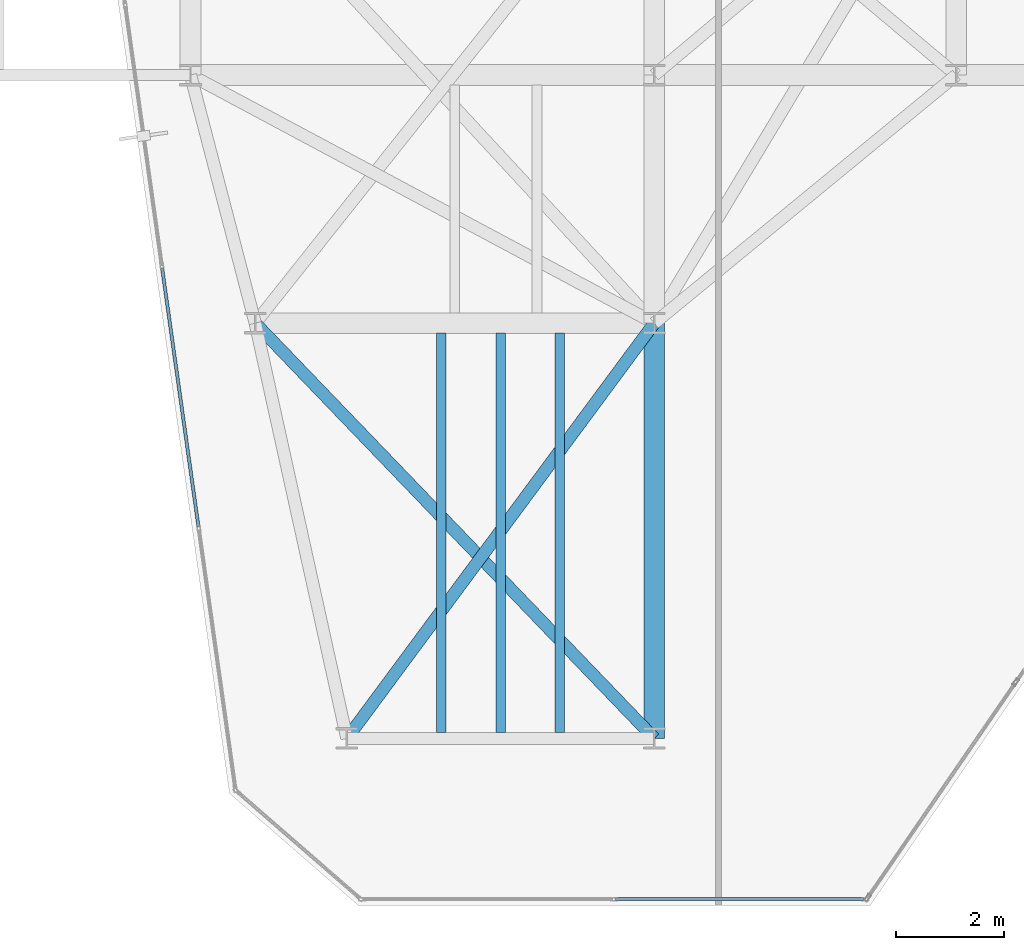
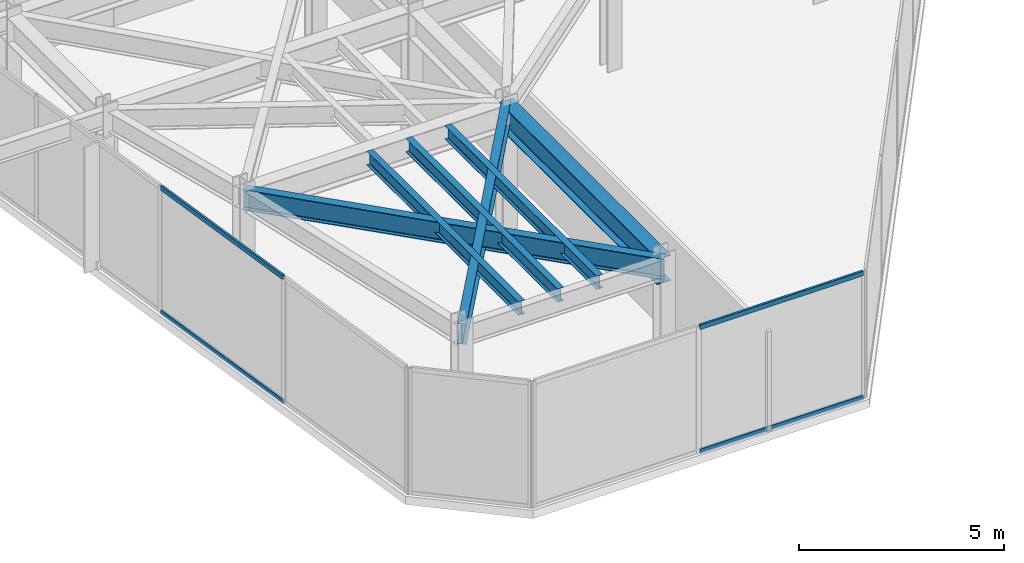
# One storey, part 3 of 27: 6 beams, 4 members, 2 elements without a shape of their own.
"""IFC4 building model written with IfcOpenShell, lengths in metres."""

import ifcopenshell
import ifcopenshell.guid

model = None  # the IFC model being written
_history = None  # IfcOwnerHistory: only IFC2X3 demands one
_inside = {}  # id of a spatial element -> (the spatial element, [elements in it])
_under = {}  # id of a project, library or spatial element -> (it, [spatial elements below it])
_declared = {}  # id of a project -> (the project, [libraries it declares])
_typed = {}  # id of a type object -> (the type object, [elements of that type])
_made_of = {}  # id of a material, layer set ... -> (it, [elements and type objects made of it])


def new_model(schema):
    """Start an empty IFC model of exactly this schema.

    Asked for "IFC4X3", IfcOpenShell would pick the latest addendum, in which some entities
    have other attributes; the version numbers below select the first issue.
    IFC2X3 requires an IfcOwnerHistory on every rooted entity: one is made here for all.
    """
    global model, _history
    if schema == "IFC4X3":
        model = ifcopenshell.file(schema_version=(4, 3, 0, 0))
    else:
        model = ifcopenshell.file(schema=schema)
    _inside.clear()
    _under.clear()
    _declared.clear()
    _typed.clear()
    _made_of.clear()
    _history = None
    if model.schema == "IFC2X3":
        org = make("IfcOrganization", Name="unknown")
        user = make(
            "IfcPersonAndOrganization",
            ThePerson=make("IfcPerson", FamilyName="unknown"),
            TheOrganization=org,
        )
        app = make(
            "IfcApplication",
            ApplicationDeveloper=org,
            Version="unknown",
            ApplicationFullName="unknown",
            ApplicationIdentifier="unknown",
        )
        _history = make(
            "IfcOwnerHistory",
            OwningUser=user,
            OwningApplication=app,
            ChangeAction="ADDED",
            CreationDate=0,
        )
    return model


def make(cls, **values):
    """One entity of the class cls with the attributes given. An attribute that is None is left unset."""
    return model.create_entity(
        cls, **{name: value for name, value in values.items() if value is not None}
    )


def rooted(cls, **values):
    """An entity with a GlobalId (a new one), such as an element, a storey or a relation."""
    return make(cls, GlobalId=ifcopenshell.guid.new(), OwnerHistory=_history, **values)


def si_unit(unit_type, name, prefix=None):
    """IfcSIUnit, for example si_unit("LENGTHUNIT", "METRE", prefix="MILLI")."""
    return make("IfcSIUnit", UnitType=unit_type, Prefix=prefix, Name=name)


def assignment(units):
    """IfcUnitAssignment: the units of a project."""
    return None if units is None else make("IfcUnitAssignment", Units=units)


def point(xyz):
    """IfcCartesianPoint."""
    return None if xyz is None else make("IfcCartesianPoint", Coordinates=xyz)


def direction(xyz):
    """IfcDirection."""
    return None if xyz is None else make("IfcDirection", DirectionRatios=xyz)


def frame(location, z_axis=None, x_axis=None):
    """IfcAxis2Placement3D, a coordinate frame: its origin and axes. An axis left out is left unset."""
    return make(
        "IfcAxis2Placement3D",
        Location=point(location),
        Axis=direction(z_axis),
        RefDirection=direction(x_axis),
    )


def frame_2d(location, x_axis=None):
    """IfcAxis2Placement2D, a coordinate frame in the plane: its origin and x axis."""
    return make(
        "IfcAxis2Placement2D", Location=point(location), RefDirection=direction(x_axis)
    )


def origin():
    """The frame at (0, 0, 0) with its axes left unset."""
    return frame((0.0, 0.0, 0.0))


def origin_2d():
    """The frame at (0, 0) in the plane with its x axis left unset."""
    return frame_2d((0.0, 0.0))


def place(relative_to, where):
    """IfcLocalPlacement: puts the frame where relative to a parent placement (None: the world)."""
    return make(
        "IfcLocalPlacement", PlacementRelTo=relative_to, RelativePlacement=where
    )


def context(
    kind, dimensions, precision=None, world=None, true_north=None, identifier=None
):
    """IfcGeometricRepresentationContext, for example the 3D "Model" context."""
    return make(
        "IfcGeometricRepresentationContext",
        ContextIdentifier=identifier,
        ContextType=kind,
        CoordinateSpaceDimension=dimensions,
        Precision=precision,
        WorldCoordinateSystem=world,
        TrueNorth=true_north,
    )


def subcontext(parent, identifier, kind, view, scale=None):
    """IfcGeometricRepresentationSubContext, for example "Body" below "Model"."""
    return make(
        "IfcGeometricRepresentationSubContext",
        ContextIdentifier=identifier,
        ContextType=kind,
        ParentContext=parent,
        TargetScale=scale,
        TargetView=view,
    )


def project(units=None, contexts=None):
    """IfcProject with its units and contexts."""
    return rooted(
        "IfcProject",
        Name="project",
        RepresentationContexts=contexts,
        UnitsInContext=assignment(units),
    )


def spatial(cls, under=None, at=None, **own):
    """A site, building, storey or space (cls), placed at a placement, below another one or the project."""
    s = rooted(cls, ObjectPlacement=at, **own)
    if under is not None:
        _under.setdefault(under.id(), (under, []))[1].append(s)
    return s


def profile(cls, at=None, kind="AREA", **sizes):
    """A parametric profile (cls). Its sizes go by their IFC names, for example OverallWidth=200.0."""
    return make(cls, ProfileType=kind, Position=at, **sizes)


def hollow_rectangle(**sizes):
    """IfcRectangleHollowProfileDef."""
    return profile("IfcRectangleHollowProfileDef", **sizes)


def i_section(**sizes):
    """IfcIShapeProfileDef."""
    return profile("IfcIShapeProfileDef", **sizes)


def extrude(swept, where, along, depth):
    """IfcExtrudedAreaSolid: the profile swept, set in the frame where, extruded along a direction by depth."""
    return make(
        "IfcExtrudedAreaSolid",
        SweptArea=swept,
        Position=where,
        ExtrudedDirection=direction(along),
        Depth=depth,
    )


def shape(context_of_items, identifier, shape_type, items):
    """IfcShapeRepresentation: the items that make up one representation, for example the "Body"."""
    return make(
        "IfcShapeRepresentation",
        ContextOfItems=context_of_items,
        RepresentationIdentifier=identifier,
        RepresentationType=shape_type,
        Items=items,
    )


def material(Name=None, Category=None):
    """IfcMaterial."""
    return make("IfcMaterial", Name=Name, Category=Category)


def layer(
    of_material, thickness, ventilated=None, Name=None, Category=None, Priority=None
):
    """IfcMaterialLayer: one layer of a wall or slab, of a material (None: an air gap)."""
    return make(
        "IfcMaterialLayer",
        Material=of_material,
        LayerThickness=thickness,
        IsVentilated=ventilated,
        Name=Name,
        Category=Category,
        Priority=Priority,
    )


def layer_set(layers, Name=None):
    """IfcMaterialLayerSet."""
    return make("IfcMaterialLayerSet", MaterialLayers=layers, LayerSetName=Name)


def material_profile(
    of_material, cross_section, Name=None, Category=None, Priority=None
):
    """IfcMaterialProfile: a cross section and its material."""
    return make(
        "IfcMaterialProfile",
        Name=Name,
        Material=of_material,
        Profile=cross_section,
        Priority=Priority,
        Category=Category,
    )


def profile_set(profiles, Name=None, composite=None):
    """IfcMaterialProfileSet."""
    return make(
        "IfcMaterialProfileSet",
        Name=Name,
        MaterialProfiles=profiles,
        CompositeProfile=composite,
    )


def made_of(thing, what):
    """Note that an element or type object is made of a material, layer set ...; save() writes the relation."""
    if what is not None:
        _made_of.setdefault(what.id(), (what, []))[1].append(thing)
    return thing


def type_object(cls, material=None, **own):
    """A type object (cls), such as IfcWallType, which elements share."""
    return made_of(rooted(cls, **own), material)


def element(
    cls,
    number,
    at=None,
    inside=None,
    cuts=None,
    type_object=None,
    material=None,
    context=None,
    identifier="Body",
    shape_type=None,
    held_by="IfcProductDefinitionShape",
    body=None,
    shapes=None,
    **own,
):
    """One element of the class cls, such as IfcWall. Its Tag is "e" and its number.

    at: its placement. inside: the storey or other place that contains it. cuts: it is an
    opening in that element (IfcRelVoidsElement). A single representation is given by context,
    identifier, shape_type and body (its items); several are given by shapes. held_by: the class
    of the entity that holds the representations. save() writes the other relations.
    """
    e = rooted(cls, Tag="e%d" % number, ObjectPlacement=at, **own)
    if body is not None:
        shapes = [shape(context, identifier, shape_type, body)]
    if shapes is not None:
        e.Representation = make(held_by, Representations=shapes)
    if inside is not None:
        _inside.setdefault(inside.id(), (inside, []))[1].append(e)
    if cuts is not None:
        rooted(
            "IfcRelVoidsElement", RelatingBuildingElement=cuts, RelatedOpeningElement=e
        )
    if type_object is not None:
        _typed.setdefault(type_object.id(), (type_object, []))[1].append(e)
    return made_of(e, material)


def aggregate(whole, parts):
    """IfcRelAggregates: a whole, such as a stair, and the parts it consists of."""
    return rooted("IfcRelAggregates", RelatingObject=whole, RelatedObjects=parts)


def save(model, path):
    """Write the relations noted so far, then the file.

    IfcRelAggregates (storeys below a building ...), IfcRelContainedInSpatialStructure (elements
    in a storey), IfcRelDefinesByType, IfcRelAssociatesMaterial and IfcRelDeclares: one each for
    every whole, place, type object, material and project.
    """
    for whole, parts in _under.values():
        aggregate(whole, parts)
    for where, things in _inside.values():
        rooted(
            "IfcRelContainedInSpatialStructure",
            RelatedElements=things,
            RelatingStructure=where,
        )
    for kind, things in _typed.values():
        rooted("IfcRelDefinesByType", RelatedObjects=things, RelatingType=kind)
    for what, things in _made_of.values():
        rooted("IfcRelAssociatesMaterial", RelatedObjects=things, RelatingMaterial=what)
    for by, libraries in _declared.values():
        rooted("IfcRelDeclares", RelatingContext=by, RelatedDefinitions=libraries)
    model.write(path)


model = new_model("IFC4")

# Units and contexts
model_context = context("Model", 3, precision=1e-05, world=origin(), true_north=direction((0.0, 1.0)))
body_context = subcontext(model_context, "Body", "Model", "MODEL_VIEW")
ifc_project = project(units=[si_unit("LENGTHUNIT", "METRE"), si_unit("AREAUNIT", "SQUARE_METRE"), si_unit("VOLUMEUNIT", "CUBIC_METRE"), si_unit("PLANEANGLEUNIT", "RADIAN"), si_unit("MASSUNIT", "GRAM", prefix="KILO")], contexts=[model_context])

# Site, building, storey
site_placement = place(None, origin())
site = spatial("IfcSite", under=ifc_project, at=site_placement, CompositionType="ELEMENT")
building_placement = place(site_placement, origin())
building = spatial("IfcBuilding", under=site, at=building_placement, Name="Kravanh Interchange Tower", CompositionType="ELEMENT")
storey_placement = place(building_placement, frame((0.0, 0.0, 196.5)))
storey = spatial("IfcBuildingStorey", under=building, at=storey_placement, Name="L47", CompositionType="ELEMENT", Elevation=196.5)

# Curtain wall, members
ifc_material_1 = material(Name="Anodised Bronze Aluminium", Category="aluminium")
ifc_layer = layer(ifc_material_1, 0.179931640625)
ifc_layer_set = layer_set([ifc_layer], Name="Unitised Curtain Wall System CW-Z3 Upper Office")
curtain_wall_type = type_object("IfcCurtainWallType", Name="Unitised Curtain Wall System CW-Z3 Upper Office", PredefinedType="NOTDEFINED", material=ifc_layer_set)
curtain_wall_1_placement = place(storey_placement, origin())
curtain_wall_1 = element("IfcCurtainWall", 1, at=curtain_wall_1_placement, inside=storey, type_object=curtain_wall_type, Name="L47 Unitised Curtain Wall CW-L47-01", PredefinedType="NOTDEFINED")
ifc_material_2 = material(Name="Anodised Bronze Aluminium", Category="aluminium")
ifc_material_profile_1 = material_profile(ifc_material_2, hollow_rectangle(XDim=0.06005859375, YDim=0.139892578125, WallThickness=0.00390625, at=origin_2d()), Name="ALU60X140X4")
ifc_profile_set_1 = profile_set([ifc_material_profile_1], Name="Anodised Bronze Aluminium")
member_type = type_object("IfcMemberType", Name="Curtain Wall Transom ALU60X140X4 Bronze", PredefinedType="USERDEFINED", material=ifc_profile_set_1)
member_1_placement = place(storey_placement, frame((18.748291015625, 18.42236328125, 0.030029296875), z_axis=(-0.139189127663, 0.990265816203, 0.0), x_axis=(-0.990265816203, -0.139189127663, 0.0)))
member_1 = element("IfcMember", 2, at=member_1_placement, type_object=member_type, Name="CW-Z3 transom 2.1", ObjectType="TRANSOM", PredefinedType="USERDEFINED", context=body_context, shape_type="SweptSolid", body=[
    extrude(hollow_rectangle(XDim=0.06005859375, YDim=0.139892578125, WallThickness=0.00390625, at=origin_2d()), origin(), (0.0, 0.0, 1.0), 4.83935546875),
])
member_2_placement = place(storey_placement, frame((18.748291015625, 18.42236328125, 3.72509765625), z_axis=(-0.139189127663, 0.990265816203, 0.0), x_axis=(-0.990265816203, -0.139189127663, 0.0)))
member_2 = element("IfcMember", 3, at=member_2_placement, type_object=member_type, Name="CW-Z3 transom 2.2", ObjectType="TRANSOM", PredefinedType="USERDEFINED", context=body_context, shape_type="SweptSolid", body=[
    extrude(hollow_rectangle(XDim=0.06005859375, YDim=0.139892578125, WallThickness=0.00390625, at=origin_2d()), origin(), (0.0, 0.0, 1.0), 4.83935546875),
])
aggregate(curtain_wall_1, [member_1, member_2])

curtain_wall_2_placement = place(storey_placement, origin())
curtain_wall_2 = element("IfcCurtainWall", 4, at=curtain_wall_2_placement, inside=storey, type_object=curtain_wall_type, Name="L47 Unitised Curtain Wall CW-L47-06", PredefinedType="NOTDEFINED")
member_3_placement = place(storey_placement, frame((31.076904296875, 11.52001953125, 0.030029296875), z_axis=(-1.0, 0.0, 0.0), x_axis=(0.0, -1.0, 0.0)))
member_3 = element("IfcMember", 5, at=member_3_placement, type_object=member_type, Name="CW-Z3 transom 1.1", ObjectType="TRANSOM", PredefinedType="USERDEFINED", context=body_context, shape_type="SweptSolid", body=[
    extrude(hollow_rectangle(XDim=0.06005859375, YDim=0.139892578125, WallThickness=0.00390625, at=origin_2d()), origin(), (0.0, 0.0, 1.0), 4.598876953125),
])
member_4_placement = place(storey_placement, frame((31.076904296875, 11.52001953125, 3.72509765625), z_axis=(-1.0, 0.0, 0.0), x_axis=(0.0, -1.0, 0.0)))
member_4 = element("IfcMember", 6, at=member_4_placement, type_object=member_type, Name="CW-Z3 transom 1.2", ObjectType="TRANSOM", PredefinedType="USERDEFINED", context=body_context, shape_type="SweptSolid", body=[
    extrude(hollow_rectangle(XDim=0.06005859375, YDim=0.139892578125, WallThickness=0.00390625, at=origin_2d()), origin(), (0.0, 0.0, 1.0), 4.598876953125),
])
aggregate(curtain_wall_2, [member_3, member_4])

# Beams
ifc_material_3 = material(Name="Structural Steel S355", Category="steel")
ifc_material_profile_2 = material_profile(ifc_material_3, i_section(OverallWidth=0.381103515625, OverallDepth=0.77294921875, WebThickness=0.0166015625, FlangeThickness=0.027099609375, FilletRadius=0.02490234375, at=origin_2d()), Name="W30X173")
ifc_profile_set_2 = profile_set([ifc_material_profile_2], Name="Structural Steel S355")
beam_type_1 = type_object("IfcBeamType", Name="Floor Beam W30X173 Structural Steel S355", PredefinedType="BEAM", material=ifc_profile_set_2)
beam_1_placement = place(storey_placement, frame((27.199951171875, 14.5, 3.368408203125), z_axis=(0.0, 1.0, 0.0), x_axis=(-1.0, 0.0, 0.0)))
element("IfcBeam", 7, at=beam_1_placement, inside=storey, type_object=beam_type_1, Name="L47 Primary Floor Girder 70", PredefinedType="BEAM", context=body_context, shape_type="SweptSolid", body=[
    extrude(i_section(OverallWidth=0.381103515625, OverallDepth=0.77294921875, WebThickness=0.0166015625, FlangeThickness=0.027099609375, FilletRadius=0.02490234375, at=origin_2d()), origin(), (0.0, 0.0, 1.0), 7.699951171875),
])
ifc_material_4 = material(Name="Structural Steel S355", Category="steel")
ifc_material_profile_3 = material_profile(ifc_material_4, i_section(OverallWidth=0.177978515625, OverallDepth=0.406005859375, WebThickness=0.0078125, FlangeThickness=0.0126953125, FilletRadius=0.01611328125, at=origin_2d()), Name="W16X40")
ifc_profile_set_3 = profile_set([ifc_material_profile_3], Name="Structural Steel S355")
beam_type_2 = type_object("IfcBeamType", Name="Floor Joist W16X40 Structural Steel S355", PredefinedType="JOIST", material=ifc_profile_set_3)
for number, where, z_axis, x_axis, name in (
    (8, (23.25, 14.60888671875, 3.552001953125), (0.0, 1.0, 0.0), (-1.0, 0.0, 0.0), "L47 Secondary Floor Joist 1"),
    (9, (24.35009765625, 14.60888671875, 3.552001953125), (0.0, 1.0, 0.0), (-1.0, 0.0, 0.0), "L47 Secondary Floor Joist 2"),
    (10, (25.449951171875, 14.60888671875, 3.552001953125), (0.0, 1.0, 0.0), (-1.0, 0.0, 0.0), "L47 Secondary Floor Joist 3"),
):
    element("IfcBeam", number, at=place(storey_placement, frame(where, z_axis=z_axis, x_axis=x_axis)), inside=storey, type_object=beam_type_2, Name=name, PredefinedType="JOIST", context=body_context, shape_type="SweptSolid", body=[
        extrude(i_section(OverallWidth=0.177978515625, OverallDepth=0.406005859375, WebThickness=0.0078125, FlangeThickness=0.0126953125, FilletRadius=0.01611328125, at=origin_2d()), origin(), (0.0, 0.0, 1.0), 7.405517578125),
    ])
ifc_material_5 = material(Name="Structural Steel S355", Category="steel")
ifc_material_profile_4 = material_profile(ifc_material_5, i_section(OverallWidth=0.22802734375, OverallDepth=0.60791015625, WebThickness=0.01123046875, FlangeThickness=0.017333984375, FilletRadius=0.02197265625, at=origin_2d()), Name="W24X76")
ifc_profile_set_4 = profile_set([ifc_material_profile_4], Name="Structural Steel S355")
beam_type_3 = type_object("IfcBeamType", Name="Floor Spandrel W24X76 Structural Steel S355", PredefinedType="SPANDREL", material=ifc_profile_set_4)
beam_2_placement = place(storey_placement, frame((21.5, 14.5, 3.450927734375), z_axis=(0.59497703726, 0.803742698339, 0.0), x_axis=(-0.803742698339, 0.59497703726, 0.0)))
element("IfcBeam", 11, at=beam_2_placement, inside=storey, type_object=beam_type_3, Name="L47 Perimeter Spandrel 32", PredefinedType="SPANDREL", context=body_context, shape_type="SweptSolid", body=[
    extrude(i_section(OverallWidth=0.22802734375, OverallDepth=0.60791015625, WebThickness=0.01123046875, FlangeThickness=0.017333984375, FilletRadius=0.02197265625, at=origin_2d()), origin(), (0.0, 0.0, 1.0), 9.580078125),
])
beam_3_placement = place(storey_placement, frame((27.199951171875, 14.5, 3.450927734375), z_axis=(-0.692919091225, 0.721015348669, 0.0), x_axis=(-0.721015348669, -0.692919091225, 0.0)))
element("IfcBeam", 12, at=beam_3_placement, inside=storey, type_object=beam_type_3, Name="L47 Perimeter Spandrel 71", PredefinedType="SPANDREL", context=body_context, shape_type="SweptSolid", body=[
    extrude(i_section(OverallWidth=0.22802734375, OverallDepth=0.60791015625, WebThickness=0.01123046875, FlangeThickness=0.017333984375, FilletRadius=0.02197265625, at=origin_2d()), origin(), (0.0, 0.0, 1.0), 10.67919921875),
])

save(model, "model.ifc")
